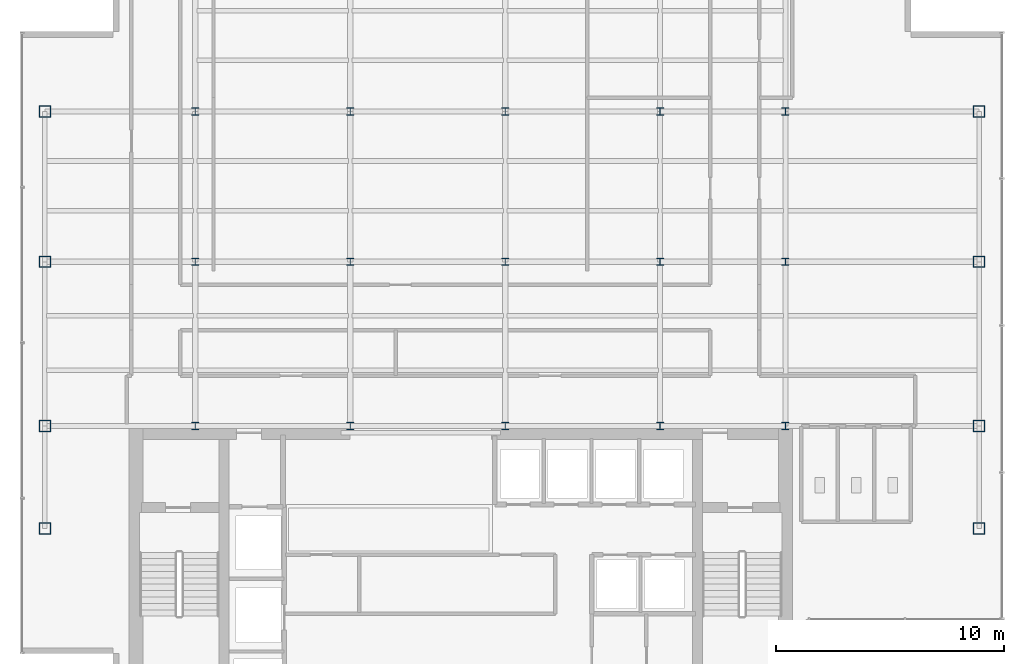
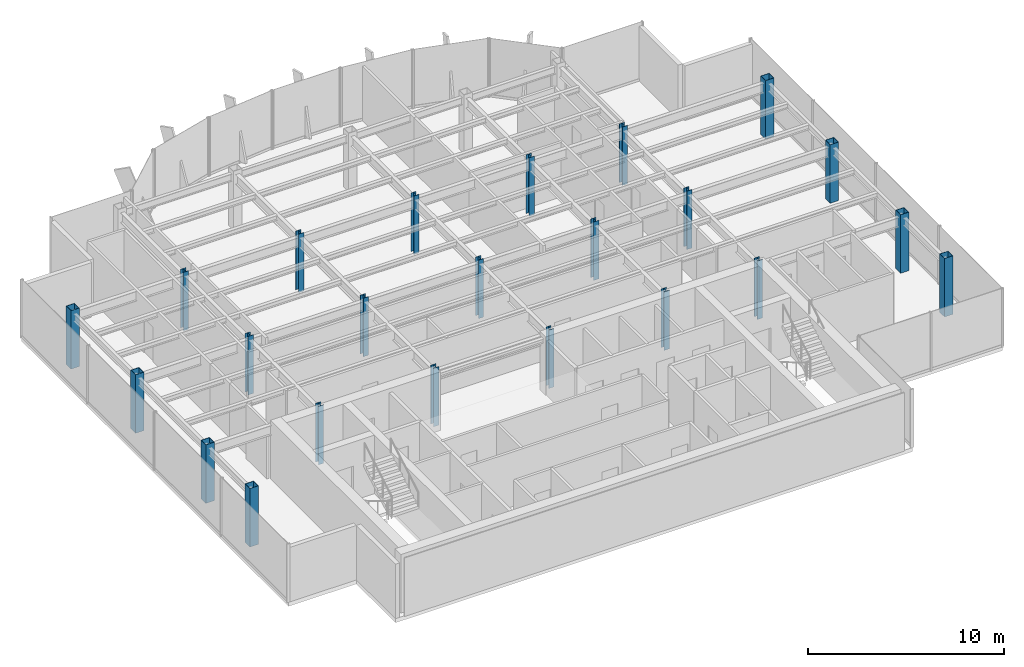
# One storey, part 1 of 22: 23 columns.
"""IFC4 building model written with IfcOpenShell, lengths in metres."""

from ifc_helpers import new_model, si_unit, derived_unit, direction, frame, origin, origin_2d, place, context, subcontext, project, spatial, hollow_rectangle, i_section, extrude, source, transform, mapped, material, material_profile, profile_set, type_object, element, save


model = new_model("IFC4")

# Units and contexts
model_context = context("Model", 3, precision=1e-05, world=origin(), true_north=direction((0.0, 1.0)))
body_context = subcontext(model_context, "Body", "Model", "MODEL_VIEW")
ifc_project = project(units=[si_unit("LENGTHUNIT", "METRE"), si_unit("AREAUNIT", "SQUARE_METRE"), si_unit("VOLUMEUNIT", "CUBIC_METRE"), si_unit("PLANEANGLEUNIT", "RADIAN"), si_unit("MASSUNIT", "GRAM", prefix="KILO"), derived_unit("THERMALTRANSMITTANCEUNIT", [(si_unit("POWERUNIT", "WATT"), 1), (si_unit("LENGTHUNIT", "METRE"), -2), (si_unit("THERMODYNAMICTEMPERATUREUNIT", "KELVIN"), -1)])], contexts=[model_context])

# Site, building, storey
site_placement = place(None, origin())
site = spatial("IfcSite", under=ifc_project, at=site_placement, CompositionType="ELEMENT")
building_placement = place(site_placement, origin())
building = spatial("IfcBuilding", under=site, at=building_placement, Name="Skarnbrae Concourse Arena and Tower", CompositionType="ELEMENT")
storey_placement = place(building_placement, frame((0.0, 0.0, 240.550048828125)))
storey = spatial("IfcBuildingStorey", under=building, at=storey_placement, Name="L62", CompositionType="ELEMENT", Elevation=240.550048828125)

# Columns
ifc_material = material(Name="Steel CSA G40.21 350W", Category="steel")
ifc_material_profile_1 = material_profile(ifc_material, hollow_rectangle(XDim=0.5, YDim=0.5, WallThickness=0.02197265625, at=origin_2d()), Name="HSS500X500X22.0")
ifc_profile_set_1 = profile_set([ifc_material_profile_1], Name="Steel CSA G40.21 350W")
column_type_1 = type_object("IfcColumnType", Name="COL-TUBE-HSS500", PredefinedType="COLUMN", material=ifc_profile_set_1)
shared_shape_1 = source(origin(), body_context, "Body", "SweptSolid", [
    extrude(hollow_rectangle(XDim=0.5, YDim=0.5, WallThickness=0.02197265625, at=origin_2d()), origin(), (0.0, 0.0, 1.0), 3.64990234375),
])
for number, where, z_axis, x_axis, name in (
    (1, (1.0, 9.5, 0.0), (0.0, 0.0, 1.0), (1.0, 0.0, 0.0), "L62 Tower column PC_01_01"),
    (2, (1.0, 14.0, 0.0), (0.0, 0.0, 1.0), (1.0, 0.0, 0.0), "L62 Tower column PC_01_02"),
    (3, (1.0, 21.199951171875, 0.0), (0.0, 0.0, 1.0), (1.0, 0.0, 0.0), "L62 Tower column PC_01_03"),
    (4, (1.0, 27.800048828125, 0.0), (0.0, 0.0, 1.0), (1.0, 0.0, 0.0), "L62 Tower column PC_01_04"),
    (5, (42.0, 9.5, 0.0), (0.0, 0.0, 1.0), (1.0, 0.0, 0.0), "L62 Tower column PC_07_01"),
    (6, (42.0, 14.0, 0.0), (0.0, 0.0, 1.0), (1.0, 0.0, 0.0), "L62 Tower column PC_07_02"),
    (7, (42.0, 21.199951171875, 0.0), (0.0, 0.0, 1.0), (1.0, 0.0, 0.0), "L62 Tower column PC_07_03"),
    (8, (42.0, 27.800048828125, 0.0), (0.0, 0.0, 1.0), (1.0, 0.0, 0.0), "L62 Tower column PC_07_04"),
):
    element("IfcColumn", number, at=place(storey_placement, frame(where, z_axis=z_axis, x_axis=x_axis)), inside=storey, type_object=column_type_1, Name=name, PredefinedType="COLUMN", context=body_context, shape_type="MappedRepresentation", body=[
        mapped(shared_shape_1, transform((0.0, 0.0, 0.0))),
    ])
ifc_material_profile_2 = material_profile(ifc_material, i_section(OverallWidth=0.30908203125, OverallDepth=0.322998046875, WebThickness=0.013916015625, FlangeThickness=0.02294921875, at=origin_2d()), Name="W310X143")
ifc_profile_set_2 = profile_set([ifc_material_profile_2], Name="Steel CSA G40.21 350W")
column_type_2 = type_object("IfcColumnType", Name="COL-INT-W310X143", PredefinedType="COLUMN", material=ifc_profile_set_2)
shared_shape_2 = source(origin(), body_context, "Body", "SweptSolid", [
    extrude(i_section(OverallWidth=0.30908203125, OverallDepth=0.322998046875, WebThickness=0.013916015625, FlangeThickness=0.02294921875, at=origin_2d()), origin(), (0.0, 0.0, 1.0), 3.64990234375),
])
for number, where, z_axis, x_axis, name in (
    (9, (7.60009765625, 14.0, 0.0), (0.0, 0.0, 1.0), (1.0, 0.0, 0.0), "L62 Tower column IC_02_02"),
    (10, (7.60009765625, 21.199951171875, 0.0), (0.0, 0.0, 1.0), (1.0, 0.0, 0.0), "L62 Tower column IC_02_03"),
    (11, (7.60009765625, 27.800048828125, 0.0), (0.0, 0.0, 1.0), (1.0, 0.0, 0.0), "L62 Tower column IC_02_04"),
    (12, (14.39990234375, 14.0, 0.0), (0.0, 0.0, 1.0), (1.0, 0.0, 0.0), "L62 Tower column IC_03_02"),
    (13, (14.39990234375, 21.199951171875, 0.0), (0.0, 0.0, 1.0), (1.0, 0.0, 0.0), "L62 Tower column IC_03_03"),
    (14, (14.39990234375, 27.800048828125, 0.0), (0.0, 0.0, 1.0), (1.0, 0.0, 0.0), "L62 Tower column IC_03_04"),
    (15, (21.199951171875, 14.0, 0.0), (0.0, 0.0, 1.0), (1.0, 0.0, 0.0), "L62 Tower column IC_04_02"),
    (16, (21.199951171875, 21.199951171875, 0.0), (0.0, 0.0, 1.0), (1.0, 0.0, 0.0), "L62 Tower column IC_04_03"),
    (17, (21.199951171875, 27.800048828125, 0.0), (0.0, 0.0, 1.0), (1.0, 0.0, 0.0), "L62 Tower column IC_04_04"),
    (18, (28.0, 14.0, 0.0), (0.0, 0.0, 1.0), (1.0, 0.0, 0.0), "L62 Tower column IC_05_02"),
    (19, (28.0, 21.199951171875, 0.0), (0.0, 0.0, 1.0), (1.0, 0.0, 0.0), "L62 Tower column IC_05_03"),
    (20, (28.0, 27.800048828125, 0.0), (0.0, 0.0, 1.0), (1.0, 0.0, 0.0), "L62 Tower column IC_05_04"),
    (21, (33.5, 14.0, 0.0), (0.0, 0.0, 1.0), (1.0, 0.0, 0.0), "L62 Tower column IC_06_02"),
    (22, (33.5, 21.199951171875, 0.0), (0.0, 0.0, 1.0), (1.0, 0.0, 0.0), "L62 Tower column IC_06_03"),
    (23, (33.5, 27.800048828125, 0.0), (0.0, 0.0, 1.0), (1.0, 0.0, 0.0), "L62 Tower column IC_06_04"),
):
    element("IfcColumn", number, at=place(storey_placement, frame(where, z_axis=z_axis, x_axis=x_axis)), inside=storey, type_object=column_type_2, Name=name, PredefinedType="COLUMN", context=body_context, shape_type="MappedRepresentation", body=[
        mapped(shared_shape_2, transform((0.0, 0.0, 0.0))),
    ])

save(model, "model.ifc")
